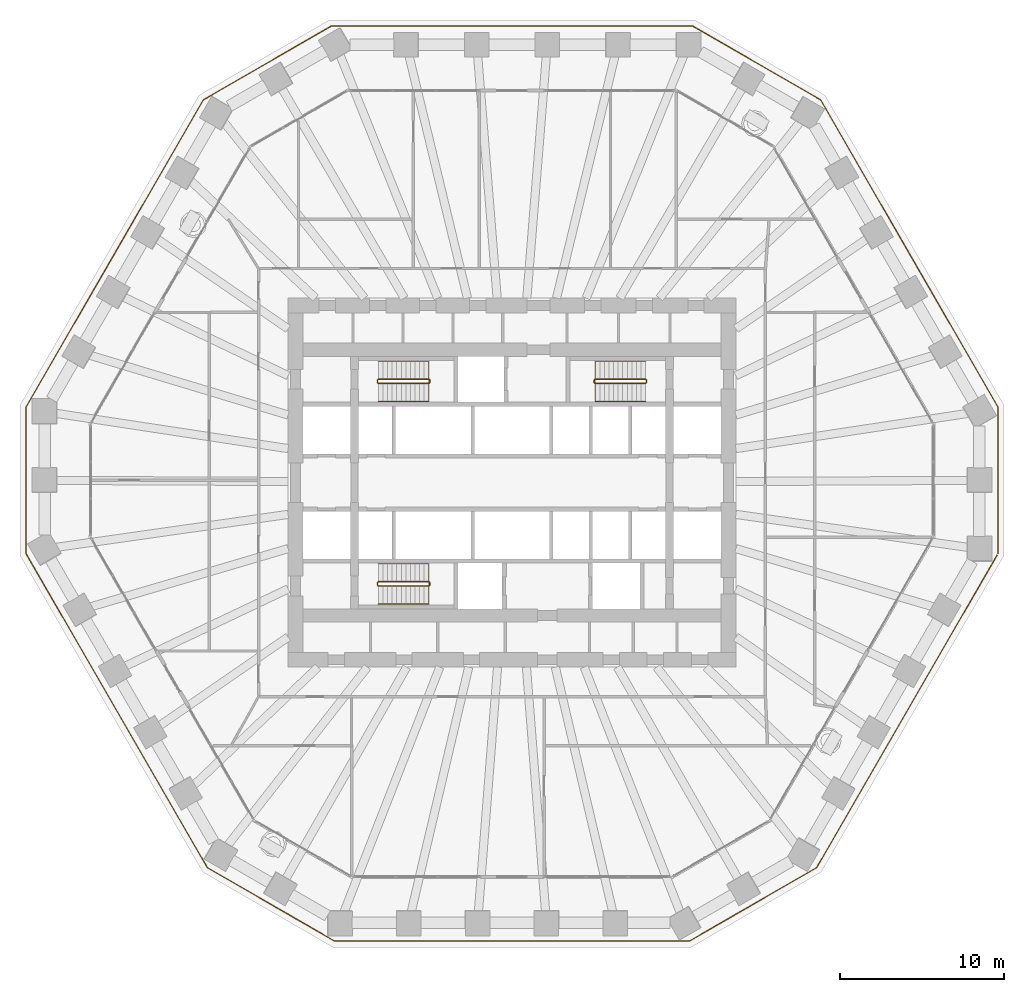
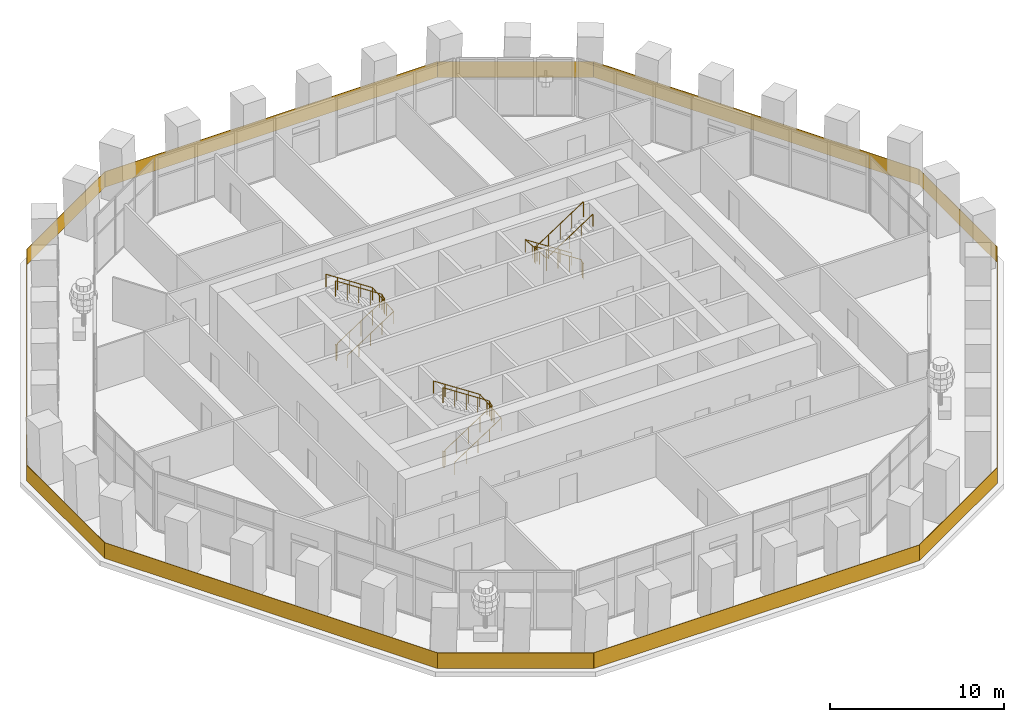
# One storey, part 16 of 18: 7 railings.
"""IFC4 building model written with IfcOpenShell, lengths in metres."""

from ifc_helpers import new_model, si_unit, direction, frame, origin, origin_2d, place, context, subcontext, project, spatial, rectangle, circle, extrude, material, type_object, element, save


model = new_model("IFC4")

# Units and contexts
model_context = context("Model", 3, precision=1e-05, world=origin(), true_north=direction((0.0, 1.0)))
body_context = subcontext(model_context, "Body", "Model", "MODEL_VIEW")
ifc_project = project(units=[si_unit("LENGTHUNIT", "METRE"), si_unit("AREAUNIT", "SQUARE_METRE"), si_unit("VOLUMEUNIT", "CUBIC_METRE"), si_unit("PLANEANGLEUNIT", "RADIAN"), si_unit("MASSUNIT", "GRAM", prefix="KILO")], contexts=[model_context])

# Site, building, storey
site_placement = place(None, origin())
site = spatial("IfcSite", under=ifc_project, at=site_placement, CompositionType="ELEMENT")
building_placement = place(site_placement, origin())
building = spatial("IfcBuilding", under=site, at=building_placement, Name="Frailejon Research Tower", CompositionType="ELEMENT")
storey_placement = place(building_placement, frame((0.0, 0.0, 19.0)))
storey = spatial("IfcBuildingStorey", under=building, at=storey_placement, Name="L04", CompositionType="ELEMENT", Elevation=19.0)

# Railings
ifc_material_1 = material(Name="Laminated glass balustrade", Category="glass")
railing_type_1 = type_object("IfcRailingType", Name="Glass guard 1100", PredefinedType="GUARDRAIL", material=ifc_material_1)
railing_1_placement = place(storey_placement, frame((29.61328125, -4.349609375, 0.0)))
element("IfcRailing", 1, at=railing_1_placement, inside=storey, type_object=railing_type_1, Name="Loggia guard L04", PredefinedType="GUARDRAIL", context=body_context, shape_type="SweptSolid", body=[
    extrude(rectangle(XDim=8.975830078125, YDim=0.030029296875, at=origin_2d()), frame((0.0, 4.48779296875, 0.0), z_axis=(0.0, 0.0, 1.0), x_axis=(0.0, 1.0, 0.0)), (0.0, 0.0, 1.0), 1.10009765625),
    extrude(rectangle(XDim=21.6005859375, YDim=0.030029296875, at=origin_2d()), frame((-5.400146484375, 18.3291015625, 0.0), z_axis=(0.0, 0.0, 1.0), x_axis=(-0.499997374926, 0.866026919366, 0.0)), (0.0, 0.0, 1.0), 1.10009765625),
    extrude(rectangle(XDim=8.9755859375, YDim=0.030029296875, at=origin_2d()), frame((-14.68701171875, 29.926513671875, 0.0), z_axis=(0.0, 0.0, 1.0), x_axis=(-0.866028409771, 0.499994793442, 0.0)), (0.0, 0.0, 1.0), 1.10009765625),
    extrude(rectangle(XDim=22.07958984375, YDim=0.030029296875, at=origin_2d()), frame((-29.61328125, 32.17041015625, 0.0), z_axis=(0.0, 0.0, 1.0), x_axis=(-1.0, 0.0, 0.0)), (0.0, 0.0, 1.0), 1.10009765625),
    extrude(rectangle(XDim=8.9755859375, YDim=0.030029296875, at=origin_2d()), frame((-44.53955078125, 29.926513671875, 0.0), z_axis=(0.0, 0.0, 1.0), x_axis=(-0.866028409771, -0.499994793442, 0.0)), (0.0, 0.0, 1.0), 1.10009765625),
    extrude(rectangle(XDim=21.6005859375, YDim=0.030029296875, at=origin_2d()), frame((-53.826416015625, 18.3291015625, 0.0), z_axis=(0.0, 0.0, 1.0), x_axis=(-0.499997374926, -0.866026919366, 0.0)), (0.0, 0.0, 1.0), 1.10009765625),
    extrude(rectangle(XDim=8.975830078125, YDim=0.030029296875, at=origin_2d()), frame((-59.2265625, 4.48779296875, 0.0), z_axis=(0.0, 0.0, 1.0), x_axis=(0.0, -1.0, 0.0)), (0.0, 0.0, 1.0), 1.10009765625),
    extrude(rectangle(XDim=22.07958984375, YDim=0.030029296875, at=origin_2d()), frame((-53.70654296875, -9.560791015625, 0.0), z_axis=(0.0, 0.0, 1.0), x_axis=(0.499998111004, -0.866026494394, 0.0)), (0.0, 0.0, 1.0), 1.10009765625),
    extrude(rectangle(XDim=8.9755859375, YDim=0.030029296875, at=origin_2d()), frame((-44.30029296875, -21.365478515625, 0.0), z_axis=(0.0, 0.0, 1.0), x_axis=(0.866028409771, -0.499994793442, 0.0)), (0.0, 0.0, 1.0), 1.10009765625),
    extrude(rectangle(XDim=21.6005859375, YDim=0.030029296875, at=origin_2d()), frame((-29.61328125, -23.609375, 0.0), z_axis=(0.0, 0.0, 1.0), x_axis=(1.0, 0.0, 0.0)), (0.0, 0.0, 1.0), 1.10009765625),
    extrude(rectangle(XDim=8.9755859375, YDim=0.030029296875, at=origin_2d()), frame((-14.92626953125, -21.365478515625, 0.0), z_axis=(0.0, 0.0, 1.0), x_axis=(0.866028409771, 0.499994793442, 0.0)), (0.0, 0.0, 1.0), 1.10009765625),
    extrude(rectangle(XDim=22.009765625, YDim=0.030029296875, at=origin_2d()), frame((-5.537353515625, -9.591064453125, 0.0), z_axis=(0.0, 0.0, 1.0), x_axis=(0.499999626325, 0.866025619525, 0.0)), (0.0, 0.0, 1.0), 1.10009765625),
])
ifc_material_2 = material(Name="Stainless steel", Category="steel")
railing_type_2 = type_object("IfcRailingType", Name="Stair guard 1100", PredefinedType="GUARDRAIL", material=ifc_material_2)
railing_2_placement = place(storey_placement, frame((-8.199951171875, 6.25, 0.0)))
element("IfcRailing", 2, at=railing_2_placement, inside=storey, type_object=railing_type_2, Name="L04 ST1 stair guard 1", PredefinedType="GUARDRAIL", context=body_context, shape_type="SweptSolid", body=[
    extrude(circle(Radius=0.02392578125, at=origin_2d()), frame((0.0, 0.0, 1.076171875), z_axis=(0.0, -1.0, 0.0), x_axis=(1.0, 0.0, 0.0)), (0.0, 0.0, 1.0), 0.14990234375),
    extrude(circle(Radius=0.02392578125, at=origin_2d()), frame((0.0, -0.14990234375, 1.076171875), z_axis=(0.254653276557, -0.254653276557, 0.932900539971), x_axis=(0.707106781187, 0.707106781187, 0.0)), (0.0, 0.0, 1.0), 0.196533203125),
    extrude(circle(Radius=0.02392578125, at=origin_2d()), frame((0.050048828125, -0.199951171875, 1.25927734375), z_axis=(0.836613101238, 0.0, 0.547794230379), x_axis=(0.0, 1.0, 0.0)), (0.0, 0.0, 1.0), 3.681396484375),
    extrude(circle(Radius=0.02392578125, at=origin_2d()), frame((3.1298828125, -0.199951171875, 3.27587890625), z_axis=(0.707106781187, 0.707106781187, 0.0), x_axis=(-0.707106781187, 0.707106781187, 0.0)), (0.0, 0.0, 1.0), 0.07080078125),
    extrude(circle(Radius=0.02392578125, at=origin_2d()), frame((3.179931640625, -0.14990234375, 3.27587890625), z_axis=(0.0, 1.0, 0.0), x_axis=(-1.0, 0.0, 0.0)), (0.0, 0.0, 1.0), 0.14990234375),
    extrude(circle(Radius=0.02392578125, at=origin_2d()), frame((3.179931640625, 0.0, 3.27587890625), z_axis=(-0.254653276557, 0.254653276557, 0.932900539971), x_axis=(-0.707106781187, -0.707106781187, 0.0)), (0.0, 0.0, 1.0), 0.196533203125),
    extrude(circle(Radius=0.02392578125, at=origin_2d()), frame((3.1298828125, 0.050048828125, 3.45947265625), z_axis=(-0.836613101238, 0.0, 0.547794230379), x_axis=(0.0, -1.0, 0.0)), (0.0, 0.0, 1.0), 3.681396484375),
    extrude(circle(Radius=0.02099609375, at=origin_2d()), origin(), (0.0, 0.0, 1.0), 1.052001953125),
    extrude(circle(Radius=0.02099609375, at=origin_2d()), frame((0.0, -0.14990234375, 0.0)), (0.0, 0.0, 1.0), 1.052001953125),
    extrude(circle(Radius=0.02099609375, at=origin_2d()), frame((0.050048828125, -0.199951171875, 0.183349609375)), (0.0, 0.0, 1.0), 1.052001953125),
    extrude(circle(Radius=0.02099609375, at=origin_2d()), frame((0.820068359375, -0.199951171875, 0.6875)), (0.0, 0.0, 1.0), 1.052001953125),
    extrude(circle(Radius=0.02099609375, at=origin_2d()), frame((1.58984375, -0.199951171875, 1.191650390625)), (0.0, 0.0, 1.0), 1.052001953125),
    extrude(circle(Radius=0.02099609375, at=origin_2d()), frame((2.35986328125, -0.199951171875, 1.69580078125)), (0.0, 0.0, 1.0), 1.052001953125),
    extrude(circle(Radius=0.02099609375, at=origin_2d()), frame((3.1298828125, -0.199951171875, 2.199951171875)), (0.0, 0.0, 1.0), 1.052001953125),
    extrude(circle(Radius=0.02099609375, at=origin_2d()), frame((3.179931640625, -0.14990234375, 2.199951171875)), (0.0, 0.0, 1.0), 1.052001953125),
    extrude(circle(Radius=0.02099609375, at=origin_2d()), frame((3.179931640625, 0.0, 2.199951171875)), (0.0, 0.0, 1.0), 1.052001953125),
    extrude(circle(Radius=0.02099609375, at=origin_2d()), frame((3.1298828125, 0.050048828125, 2.38330078125)), (0.0, 0.0, 1.0), 1.052001953125),
    extrude(circle(Radius=0.02099609375, at=origin_2d()), frame((2.35986328125, 0.050048828125, 2.887451171875)), (0.0, 0.0, 1.0), 1.052001953125),
    extrude(circle(Radius=0.02099609375, at=origin_2d()), frame((1.58984375, 0.050048828125, 3.3916015625)), (0.0, 0.0, 1.0), 1.052001953125),
    extrude(circle(Radius=0.02099609375, at=origin_2d()), frame((0.820068359375, 0.050048828125, 3.895751953125)), (0.0, 0.0, 1.0), 1.052001953125),
    extrude(circle(Radius=0.02099609375, at=origin_2d()), frame((0.050048828125, 0.050048828125, 4.39990234375)), (0.0, 0.0, 1.0), 1.052001953125),
])
railing_3_placement = place(storey_placement, frame((-8.199951171875, -6.10009765625, 0.0)))
element("IfcRailing", 3, at=railing_3_placement, inside=storey, type_object=railing_type_2, Name="L04 ST2 stair guard 1", PredefinedType="GUARDRAIL", context=body_context, shape_type="SweptSolid", body=[
    extrude(circle(Radius=0.02392578125, at=origin_2d()), frame((0.0, 0.0, 1.076171875), z_axis=(0.0, -1.0, 0.0), x_axis=(1.0, 0.0, 0.0)), (0.0, 0.0, 1.0), 0.14990234375),
    extrude(circle(Radius=0.02392578125, at=origin_2d()), frame((0.0, -0.14990234375, 1.076171875), z_axis=(0.254653276557, -0.254653276557, 0.932900539971), x_axis=(0.707106781187, 0.707106781187, 0.0)), (0.0, 0.0, 1.0), 0.196533203125),
    extrude(circle(Radius=0.02392578125, at=origin_2d()), frame((0.050048828125, -0.199951171875, 1.25927734375), z_axis=(0.836613101238, 0.0, 0.547794230379), x_axis=(0.0, 1.0, 0.0)), (0.0, 0.0, 1.0), 3.681396484375),
    extrude(circle(Radius=0.02392578125, at=origin_2d()), frame((3.1298828125, -0.199951171875, 3.27587890625), z_axis=(0.707106781187, 0.707106781187, 0.0), x_axis=(-0.707106781187, 0.707106781187, 0.0)), (0.0, 0.0, 1.0), 0.07080078125),
    extrude(circle(Radius=0.02392578125, at=origin_2d()), frame((3.179931640625, -0.14990234375, 3.27587890625), z_axis=(0.0, 1.0, 0.0), x_axis=(-1.0, 0.0, 0.0)), (0.0, 0.0, 1.0), 0.14990234375),
    extrude(circle(Radius=0.02392578125, at=origin_2d()), frame((3.179931640625, 0.0, 3.27587890625), z_axis=(-0.254653276557, 0.254653276557, 0.932900539971), x_axis=(-0.707106781187, -0.707106781187, 0.0)), (0.0, 0.0, 1.0), 0.196533203125),
    extrude(circle(Radius=0.02392578125, at=origin_2d()), frame((3.1298828125, 0.050048828125, 3.45947265625), z_axis=(-0.836613101238, 0.0, 0.547794230379), x_axis=(0.0, -1.0, 0.0)), (0.0, 0.0, 1.0), 3.681396484375),
    extrude(circle(Radius=0.02099609375, at=origin_2d()), origin(), (0.0, 0.0, 1.0), 1.052001953125),
    extrude(circle(Radius=0.02099609375, at=origin_2d()), frame((0.0, -0.14990234375, 0.0)), (0.0, 0.0, 1.0), 1.052001953125),
    extrude(circle(Radius=0.02099609375, at=origin_2d()), frame((0.050048828125, -0.199951171875, 0.183349609375)), (0.0, 0.0, 1.0), 1.052001953125),
    extrude(circle(Radius=0.02099609375, at=origin_2d()), frame((0.820068359375, -0.199951171875, 0.6875)), (0.0, 0.0, 1.0), 1.052001953125),
    extrude(circle(Radius=0.02099609375, at=origin_2d()), frame((1.58984375, -0.199951171875, 1.191650390625)), (0.0, 0.0, 1.0), 1.052001953125),
    extrude(circle(Radius=0.02099609375, at=origin_2d()), frame((2.35986328125, -0.199951171875, 1.69580078125)), (0.0, 0.0, 1.0), 1.052001953125),
    extrude(circle(Radius=0.02099609375, at=origin_2d()), frame((3.1298828125, -0.199951171875, 2.199951171875)), (0.0, 0.0, 1.0), 1.052001953125),
    extrude(circle(Radius=0.02099609375, at=origin_2d()), frame((3.179931640625, -0.14990234375, 2.199951171875)), (0.0, 0.0, 1.0), 1.052001953125),
    extrude(circle(Radius=0.02099609375, at=origin_2d()), frame((3.179931640625, 0.0, 2.199951171875)), (0.0, 0.0, 1.0), 1.052001953125),
    extrude(circle(Radius=0.02099609375, at=origin_2d()), frame((3.1298828125, 0.050048828125, 2.38330078125)), (0.0, 0.0, 1.0), 1.052001953125),
    extrude(circle(Radius=0.02099609375, at=origin_2d()), frame((2.35986328125, 0.050048828125, 2.887451171875)), (0.0, 0.0, 1.0), 1.052001953125),
    extrude(circle(Radius=0.02099609375, at=origin_2d()), frame((1.58984375, 0.050048828125, 3.3916015625)), (0.0, 0.0, 1.0), 1.052001953125),
    extrude(circle(Radius=0.02099609375, at=origin_2d()), frame((0.820068359375, 0.050048828125, 3.895751953125)), (0.0, 0.0, 1.0), 1.052001953125),
    extrude(circle(Radius=0.02099609375, at=origin_2d()), frame((0.050048828125, 0.050048828125, 4.39990234375)), (0.0, 0.0, 1.0), 1.052001953125),
])
railing_4_placement = place(storey_placement, frame((8.199951171875, 6.10009765625, 0.0)))
element("IfcRailing", 4, at=railing_4_placement, inside=storey, type_object=railing_type_2, Name="L04 ST3 stair guard 1", PredefinedType="GUARDRAIL", context=body_context, shape_type="SweptSolid", body=[
    extrude(circle(Radius=0.02392578125, at=origin_2d()), frame((0.0, 0.0, 1.076171875), z_axis=(0.0, 1.0, 0.0), x_axis=(-1.0, 0.0, 0.0)), (0.0, 0.0, 1.0), 0.14990234375),
    extrude(circle(Radius=0.02392578125, at=origin_2d()), frame((0.0, 0.14990234375, 1.076171875), z_axis=(-0.254653276557, 0.254653276557, 0.932900539971), x_axis=(-0.707106781187, -0.707106781187, 0.0)), (0.0, 0.0, 1.0), 0.196533203125),
    extrude(circle(Radius=0.02392578125, at=origin_2d()), frame((-0.050048828125, 0.199951171875, 1.25927734375), z_axis=(-0.836613101238, 0.0, 0.547794230379), x_axis=(0.0, -1.0, 0.0)), (0.0, 0.0, 1.0), 3.681396484375),
    extrude(circle(Radius=0.02392578125, at=origin_2d()), frame((-3.1298828125, 0.199951171875, 3.27587890625), z_axis=(-0.707106781187, -0.707106781187, 0.0), x_axis=(0.707106781187, -0.707106781187, 0.0)), (0.0, 0.0, 1.0), 0.07080078125),
    extrude(circle(Radius=0.02392578125, at=origin_2d()), frame((-3.179931640625, 0.14990234375, 3.27587890625), z_axis=(0.0, -1.0, 0.0), x_axis=(1.0, 0.0, 0.0)), (0.0, 0.0, 1.0), 0.14990234375),
    extrude(circle(Radius=0.02392578125, at=origin_2d()), frame((-3.179931640625, 0.0, 3.27587890625), z_axis=(0.254653276557, -0.254653276557, 0.932900539971), x_axis=(0.707106781187, 0.707106781187, 0.0)), (0.0, 0.0, 1.0), 0.196533203125),
    extrude(circle(Radius=0.02392578125, at=origin_2d()), frame((-3.1298828125, -0.050048828125, 3.45947265625), z_axis=(0.836613101238, 0.0, 0.547794230379), x_axis=(0.0, 1.0, 0.0)), (0.0, 0.0, 1.0), 3.681396484375),
    extrude(circle(Radius=0.02099609375, at=origin_2d()), origin(), (0.0, 0.0, 1.0), 1.052001953125),
    extrude(circle(Radius=0.02099609375, at=origin_2d()), frame((0.0, 0.14990234375, 0.0)), (0.0, 0.0, 1.0), 1.052001953125),
    extrude(circle(Radius=0.02099609375, at=origin_2d()), frame((-0.050048828125, 0.199951171875, 0.183349609375)), (0.0, 0.0, 1.0), 1.052001953125),
    extrude(circle(Radius=0.02099609375, at=origin_2d()), frame((-0.820068359375, 0.199951171875, 0.6875)), (0.0, 0.0, 1.0), 1.052001953125),
    extrude(circle(Radius=0.02099609375, at=origin_2d()), frame((-1.58984375, 0.199951171875, 1.191650390625)), (0.0, 0.0, 1.0), 1.052001953125),
    extrude(circle(Radius=0.02099609375, at=origin_2d()), frame((-2.35986328125, 0.199951171875, 1.69580078125)), (0.0, 0.0, 1.0), 1.052001953125),
    extrude(circle(Radius=0.02099609375, at=origin_2d()), frame((-3.1298828125, 0.199951171875, 2.199951171875)), (0.0, 0.0, 1.0), 1.052001953125),
    extrude(circle(Radius=0.02099609375, at=origin_2d()), frame((-3.179931640625, 0.14990234375, 2.199951171875)), (0.0, 0.0, 1.0), 1.052001953125),
    extrude(circle(Radius=0.02099609375, at=origin_2d()), frame((-3.179931640625, 0.0, 2.199951171875)), (0.0, 0.0, 1.0), 1.052001953125),
    extrude(circle(Radius=0.02099609375, at=origin_2d()), frame((-3.1298828125, -0.050048828125, 2.38330078125)), (0.0, 0.0, 1.0), 1.052001953125),
    extrude(circle(Radius=0.02099609375, at=origin_2d()), frame((-2.35986328125, -0.050048828125, 2.887451171875)), (0.0, 0.0, 1.0), 1.052001953125),
    extrude(circle(Radius=0.02099609375, at=origin_2d()), frame((-1.58984375, -0.050048828125, 3.3916015625)), (0.0, 0.0, 1.0), 1.052001953125),
    extrude(circle(Radius=0.02099609375, at=origin_2d()), frame((-0.820068359375, -0.050048828125, 3.895751953125)), (0.0, 0.0, 1.0), 1.052001953125),
    extrude(circle(Radius=0.02099609375, at=origin_2d()), frame((-0.050048828125, -0.050048828125, 4.39990234375)), (0.0, 0.0, 1.0), 1.052001953125),
])
ifc_material_3 = material(Name="Stainless steel", Category="steel")
railing_type_3 = type_object("IfcRailingType", Name="Stair handrail 900", PredefinedType="HANDRAIL", material=ifc_material_3)
railing_5_placement = place(storey_placement, frame((-8.14990234375, 4.949951171875, 0.183349609375)))
element("IfcRailing", 5, at=railing_5_placement, inside=storey, type_object=railing_type_3, Name="L04 ST1 stair handrail 1", PredefinedType="HANDRAIL", context=body_context, shape_type="SweptSolid", body=[
    extrude(circle(Radius=0.02392578125, at=origin_2d()), frame((0.0, 0.0, 0.8759765625), z_axis=(0.836613101238, 0.0, 0.547794230379), x_axis=(0.0, 1.0, 0.0)), (0.0, 0.0, 1.0), 3.681396484375),
    extrude(circle(Radius=0.02392578125, at=origin_2d()), frame((3.079833984375, 0.0, 2.892578125), z_axis=(0.0, 0.99721134034, 0.074629368868), x_axis=(-1.0, 0.0, 0.0)), (0.0, 0.0, 1.0), 2.456787109375),
    extrude(circle(Radius=0.02392578125, at=origin_2d()), frame((3.079833984375, 2.449951171875, 3.07568359375), z_axis=(-0.836613101238, 0.0, 0.547794230379), x_axis=(0.0, -1.0, 0.0)), (0.0, 0.0, 1.0), 3.681396484375),
    extrude(circle(Radius=0.02099609375, at=origin_2d()), origin(), (0.0, 0.0, 1.0), 0.851806640625),
    extrude(circle(Radius=0.02099609375, at=origin_2d()), frame((0.77001953125, 0.0, 0.504150390625)), (0.0, 0.0, 1.0), 0.851806640625),
    extrude(circle(Radius=0.02099609375, at=origin_2d()), frame((1.5400390625, 0.0, 1.00830078125)), (0.0, 0.0, 1.0), 0.851806640625),
    extrude(circle(Radius=0.02099609375, at=origin_2d()), frame((2.309814453125, 0.0, 1.512451171875)), (0.0, 0.0, 1.0), 0.851806640625),
    extrude(circle(Radius=0.02099609375, at=origin_2d()), frame((3.079833984375, 0.0, 2.0166015625)), (0.0, 0.0, 1.0), 0.851806640625),
    extrude(circle(Radius=0.02099609375, at=origin_2d()), frame((3.079833984375, 0.816650390625, 2.07763671875)), (0.0, 0.0, 1.0), 0.851806640625),
    extrude(circle(Radius=0.02099609375, at=origin_2d()), frame((3.079833984375, 1.63330078125, 2.138916015625)), (0.0, 0.0, 1.0), 0.851806640625),
    extrude(circle(Radius=0.02099609375, at=origin_2d()), frame((3.079833984375, 2.449951171875, 2.199951171875)), (0.0, 0.0, 1.0), 0.851806640625),
    extrude(circle(Radius=0.02099609375, at=origin_2d()), frame((2.309814453125, 2.449951171875, 2.7041015625)), (0.0, 0.0, 1.0), 0.851806640625),
    extrude(circle(Radius=0.02099609375, at=origin_2d()), frame((1.5400390625, 2.449951171875, 3.208251953125)), (0.0, 0.0, 1.0), 0.851806640625),
    extrude(circle(Radius=0.02099609375, at=origin_2d()), frame((0.77001953125, 2.449951171875, 3.71240234375)), (0.0, 0.0, 1.0), 0.851806640625),
    extrude(circle(Radius=0.02099609375, at=origin_2d()), frame((0.0, 2.449951171875, 4.216552734375)), (0.0, 0.0, 1.0), 0.851806640625),
])
railing_6_placement = place(storey_placement, frame((-8.14990234375, -7.39990234375, 0.183349609375)))
element("IfcRailing", 6, at=railing_6_placement, inside=storey, type_object=railing_type_3, Name="L04 ST2 stair handrail 1", PredefinedType="HANDRAIL", context=body_context, shape_type="SweptSolid", body=[
    extrude(circle(Radius=0.02392578125, at=origin_2d()), frame((0.0, 0.0, 0.8759765625), z_axis=(0.836613101238, 0.0, 0.547794230379), x_axis=(0.0, 1.0, 0.0)), (0.0, 0.0, 1.0), 3.681396484375),
    extrude(circle(Radius=0.02392578125, at=origin_2d()), frame((3.079833984375, 0.0, 2.892578125), z_axis=(0.0, 0.99721134034, 0.074629368868), x_axis=(-1.0, 0.0, 0.0)), (0.0, 0.0, 1.0), 2.456787109375),
    extrude(circle(Radius=0.02392578125, at=origin_2d()), frame((3.079833984375, 2.449951171875, 3.07568359375), z_axis=(-0.836613101238, 0.0, 0.547794230379), x_axis=(0.0, -1.0, 0.0)), (0.0, 0.0, 1.0), 3.681396484375),
    extrude(circle(Radius=0.02099609375, at=origin_2d()), origin(), (0.0, 0.0, 1.0), 0.851806640625),
    extrude(circle(Radius=0.02099609375, at=origin_2d()), frame((0.77001953125, 0.0, 0.504150390625)), (0.0, 0.0, 1.0), 0.851806640625),
    extrude(circle(Radius=0.02099609375, at=origin_2d()), frame((1.5400390625, 0.0, 1.00830078125)), (0.0, 0.0, 1.0), 0.851806640625),
    extrude(circle(Radius=0.02099609375, at=origin_2d()), frame((2.309814453125, 0.0, 1.512451171875)), (0.0, 0.0, 1.0), 0.851806640625),
    extrude(circle(Radius=0.02099609375, at=origin_2d()), frame((3.079833984375, 0.0, 2.0166015625)), (0.0, 0.0, 1.0), 0.851806640625),
    extrude(circle(Radius=0.02099609375, at=origin_2d()), frame((3.079833984375, 0.816650390625, 2.07763671875)), (0.0, 0.0, 1.0), 0.851806640625),
    extrude(circle(Radius=0.02099609375, at=origin_2d()), frame((3.079833984375, 1.63330078125, 2.138916015625)), (0.0, 0.0, 1.0), 0.851806640625),
    extrude(circle(Radius=0.02099609375, at=origin_2d()), frame((3.079833984375, 2.449951171875, 2.199951171875)), (0.0, 0.0, 1.0), 0.851806640625),
    extrude(circle(Radius=0.02099609375, at=origin_2d()), frame((2.309814453125, 2.449951171875, 2.7041015625)), (0.0, 0.0, 1.0), 0.851806640625),
    extrude(circle(Radius=0.02099609375, at=origin_2d()), frame((1.5400390625, 2.449951171875, 3.208251953125)), (0.0, 0.0, 1.0), 0.851806640625),
    extrude(circle(Radius=0.02099609375, at=origin_2d()), frame((0.77001953125, 2.449951171875, 3.71240234375)), (0.0, 0.0, 1.0), 0.851806640625),
    extrude(circle(Radius=0.02099609375, at=origin_2d()), frame((0.0, 2.449951171875, 4.216552734375)), (0.0, 0.0, 1.0), 0.851806640625),
])
railing_7_placement = place(storey_placement, frame((8.14990234375, 7.39990234375, 0.183349609375)))
element("IfcRailing", 7, at=railing_7_placement, inside=storey, type_object=railing_type_3, Name="L04 ST3 stair handrail 1", PredefinedType="HANDRAIL", context=body_context, shape_type="SweptSolid", body=[
    extrude(circle(Radius=0.02392578125, at=origin_2d()), frame((0.0, 0.0, 0.8759765625), z_axis=(-0.836613101238, 0.0, 0.547794230379), x_axis=(0.0, -1.0, 0.0)), (0.0, 0.0, 1.0), 3.681396484375),
    extrude(circle(Radius=0.02392578125, at=origin_2d()), frame((-3.079833984375, 0.0, 2.892578125), z_axis=(0.0, -0.99721134034, 0.074629368868), x_axis=(1.0, 0.0, 0.0)), (0.0, 0.0, 1.0), 2.456787109375),
    extrude(circle(Radius=0.02392578125, at=origin_2d()), frame((-3.079833984375, -2.449951171875, 3.07568359375), z_axis=(0.836613101238, 0.0, 0.547794230379), x_axis=(0.0, 1.0, 0.0)), (0.0, 0.0, 1.0), 3.681396484375),
    extrude(circle(Radius=0.02099609375, at=origin_2d()), origin(), (0.0, 0.0, 1.0), 0.851806640625),
    extrude(circle(Radius=0.02099609375, at=origin_2d()), frame((-0.77001953125, 0.0, 0.504150390625)), (0.0, 0.0, 1.0), 0.851806640625),
    extrude(circle(Radius=0.02099609375, at=origin_2d()), frame((-1.5400390625, 0.0, 1.00830078125)), (0.0, 0.0, 1.0), 0.851806640625),
    extrude(circle(Radius=0.02099609375, at=origin_2d()), frame((-2.309814453125, 0.0, 1.512451171875)), (0.0, 0.0, 1.0), 0.851806640625),
    extrude(circle(Radius=0.02099609375, at=origin_2d()), frame((-3.079833984375, 0.0, 2.0166015625)), (0.0, 0.0, 1.0), 0.851806640625),
    extrude(circle(Radius=0.02099609375, at=origin_2d()), frame((-3.079833984375, -0.816650390625, 2.07763671875)), (0.0, 0.0, 1.0), 0.851806640625),
    extrude(circle(Radius=0.02099609375, at=origin_2d()), frame((-3.079833984375, -1.63330078125, 2.138916015625)), (0.0, 0.0, 1.0), 0.851806640625),
    extrude(circle(Radius=0.02099609375, at=origin_2d()), frame((-3.079833984375, -2.449951171875, 2.199951171875)), (0.0, 0.0, 1.0), 0.851806640625),
    extrude(circle(Radius=0.02099609375, at=origin_2d()), frame((-2.309814453125, -2.449951171875, 2.7041015625)), (0.0, 0.0, 1.0), 0.851806640625),
    extrude(circle(Radius=0.02099609375, at=origin_2d()), frame((-1.5400390625, -2.449951171875, 3.208251953125)), (0.0, 0.0, 1.0), 0.851806640625),
    extrude(circle(Radius=0.02099609375, at=origin_2d()), frame((-0.77001953125, -2.449951171875, 3.71240234375)), (0.0, 0.0, 1.0), 0.851806640625),
    extrude(circle(Radius=0.02099609375, at=origin_2d()), frame((0.0, -2.449951171875, 4.216552734375)), (0.0, 0.0, 1.0), 0.851806640625),
])

save(model, "model.ifc")
